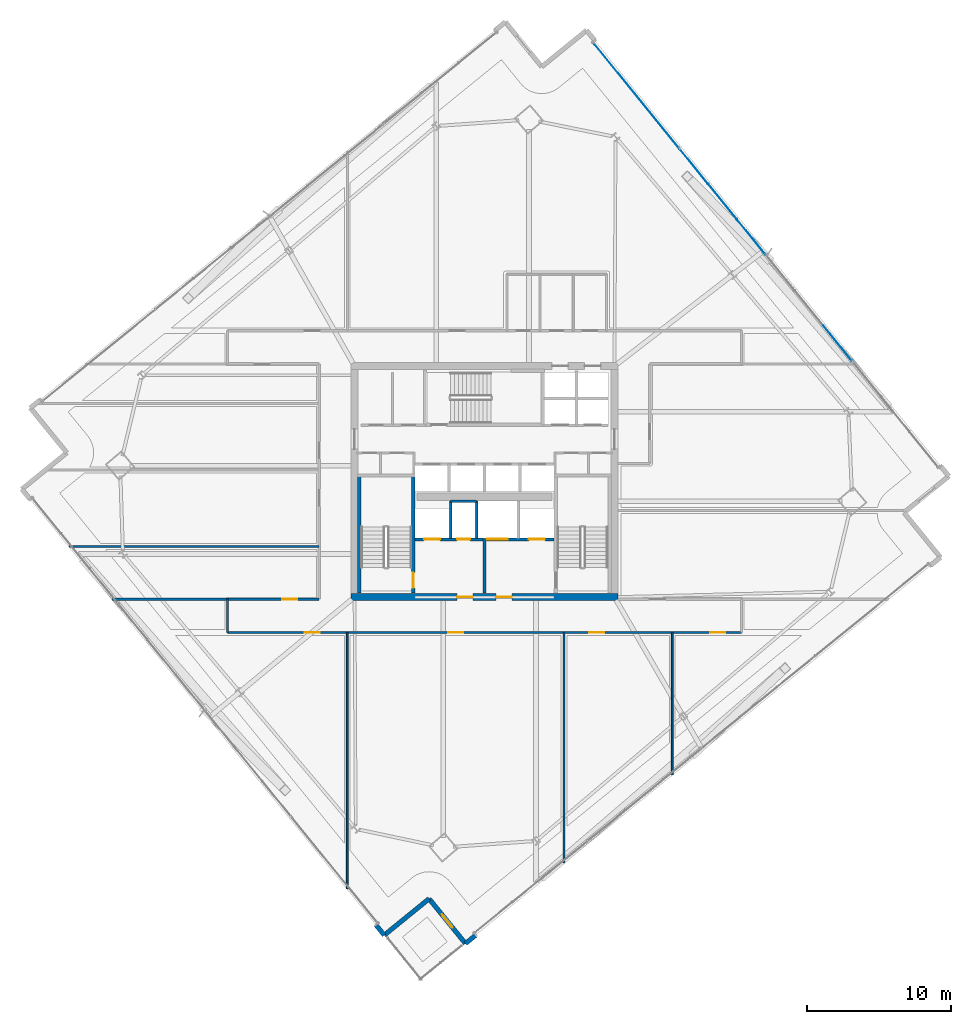
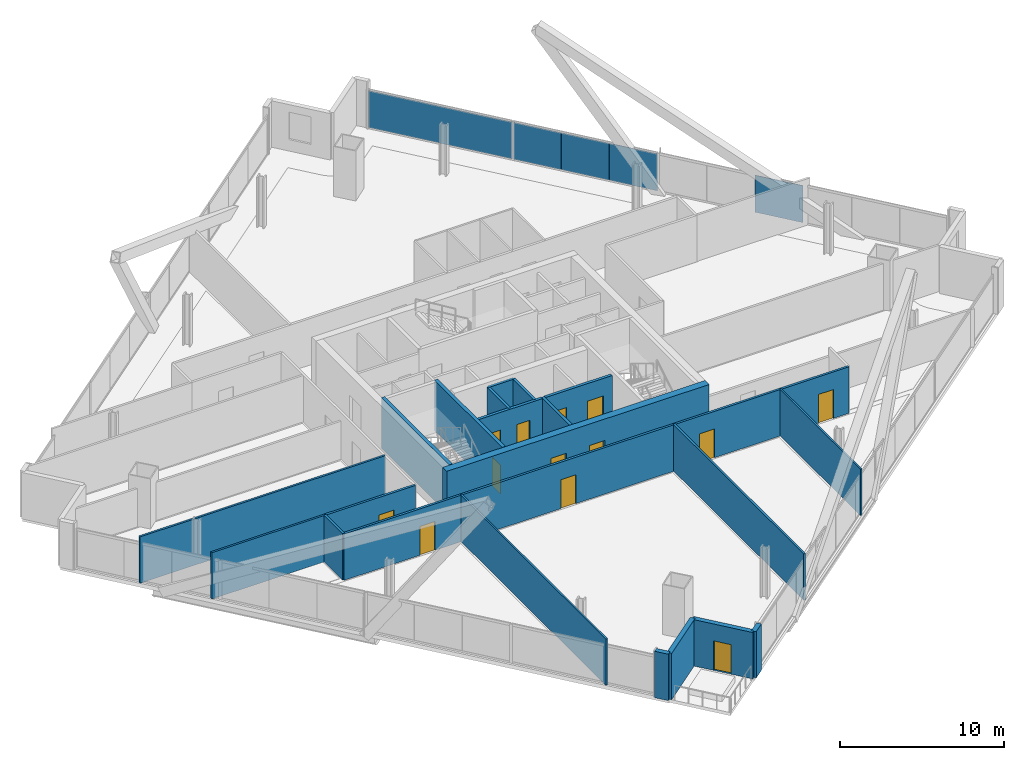
# One storey, part 28 of 36: 21 walls, 13 doors, 5 plates, 13 openings, 1 element without a shape of its own.
"""IFC4 building model written with IfcOpenShell, lengths in metres."""

import ifcopenshell
import ifcopenshell.guid

model = None  # the IFC model being written
_history = None  # IfcOwnerHistory: only IFC2X3 demands one
_inside = {}  # id of a spatial element -> (the spatial element, [elements in it])
_under = {}  # id of a project, library or spatial element -> (it, [spatial elements below it])
_declared = {}  # id of a project -> (the project, [libraries it declares])
_typed = {}  # id of a type object -> (the type object, [elements of that type])
_made_of = {}  # id of a material, layer set ... -> (it, [elements and type objects made of it])


def new_model(schema):
    """Start an empty IFC model of exactly this schema.

    Asked for "IFC4X3", IfcOpenShell would pick the latest addendum, in which some entities
    have other attributes; the version numbers below select the first issue.
    IFC2X3 requires an IfcOwnerHistory on every rooted entity: one is made here for all.
    """
    global model, _history
    if schema == "IFC4X3":
        model = ifcopenshell.file(schema_version=(4, 3, 0, 0))
    else:
        model = ifcopenshell.file(schema=schema)
    _inside.clear()
    _under.clear()
    _declared.clear()
    _typed.clear()
    _made_of.clear()
    _history = None
    if model.schema == "IFC2X3":
        org = make("IfcOrganization", Name="unknown")
        user = make(
            "IfcPersonAndOrganization",
            ThePerson=make("IfcPerson", FamilyName="unknown"),
            TheOrganization=org,
        )
        app = make(
            "IfcApplication",
            ApplicationDeveloper=org,
            Version="unknown",
            ApplicationFullName="unknown",
            ApplicationIdentifier="unknown",
        )
        _history = make(
            "IfcOwnerHistory",
            OwningUser=user,
            OwningApplication=app,
            ChangeAction="ADDED",
            CreationDate=0,
        )
    return model


def make(cls, **values):
    """One entity of the class cls with the attributes given. An attribute that is None is left unset."""
    return model.create_entity(
        cls, **{name: value for name, value in values.items() if value is not None}
    )


def rooted(cls, **values):
    """An entity with a GlobalId (a new one), such as an element, a storey or a relation."""
    return make(cls, GlobalId=ifcopenshell.guid.new(), OwnerHistory=_history, **values)


def si_unit(unit_type, name, prefix=None):
    """IfcSIUnit, for example si_unit("LENGTHUNIT", "METRE", prefix="MILLI")."""
    return make("IfcSIUnit", UnitType=unit_type, Prefix=prefix, Name=name)


def assignment(units):
    """IfcUnitAssignment: the units of a project."""
    return None if units is None else make("IfcUnitAssignment", Units=units)


def point(xyz):
    """IfcCartesianPoint."""
    return None if xyz is None else make("IfcCartesianPoint", Coordinates=xyz)


def direction(xyz):
    """IfcDirection."""
    return None if xyz is None else make("IfcDirection", DirectionRatios=xyz)


def frame(location, z_axis=None, x_axis=None):
    """IfcAxis2Placement3D, a coordinate frame: its origin and axes. An axis left out is left unset."""
    return make(
        "IfcAxis2Placement3D",
        Location=point(location),
        Axis=direction(z_axis),
        RefDirection=direction(x_axis),
    )


def frame_2d(location, x_axis=None):
    """IfcAxis2Placement2D, a coordinate frame in the plane: its origin and x axis."""
    return make(
        "IfcAxis2Placement2D", Location=point(location), RefDirection=direction(x_axis)
    )


def origin():
    """The frame at (0, 0, 0) with its axes left unset."""
    return frame((0.0, 0.0, 0.0))


def origin_2d():
    """The frame at (0, 0) in the plane with its x axis left unset."""
    return frame_2d((0.0, 0.0))


def place(relative_to, where):
    """IfcLocalPlacement: puts the frame where relative to a parent placement (None: the world)."""
    return make(
        "IfcLocalPlacement", PlacementRelTo=relative_to, RelativePlacement=where
    )


def context(
    kind, dimensions, precision=None, world=None, true_north=None, identifier=None
):
    """IfcGeometricRepresentationContext, for example the 3D "Model" context."""
    return make(
        "IfcGeometricRepresentationContext",
        ContextIdentifier=identifier,
        ContextType=kind,
        CoordinateSpaceDimension=dimensions,
        Precision=precision,
        WorldCoordinateSystem=world,
        TrueNorth=true_north,
    )


def subcontext(parent, identifier, kind, view, scale=None):
    """IfcGeometricRepresentationSubContext, for example "Body" below "Model"."""
    return make(
        "IfcGeometricRepresentationSubContext",
        ContextIdentifier=identifier,
        ContextType=kind,
        ParentContext=parent,
        TargetScale=scale,
        TargetView=view,
    )


def project(units=None, contexts=None):
    """IfcProject with its units and contexts."""
    return rooted(
        "IfcProject",
        Name="project",
        RepresentationContexts=contexts,
        UnitsInContext=assignment(units),
    )


def spatial(cls, under=None, at=None, **own):
    """A site, building, storey or space (cls), placed at a placement, below another one or the project."""
    s = rooted(cls, ObjectPlacement=at, **own)
    if under is not None:
        _under.setdefault(under.id(), (under, []))[1].append(s)
    return s


def profile(cls, at=None, kind="AREA", **sizes):
    """A parametric profile (cls). Its sizes go by their IFC names, for example OverallWidth=200.0."""
    return make(cls, ProfileType=kind, Position=at, **sizes)


def rectangle(**sizes):
    """IfcRectangleProfileDef."""
    return profile("IfcRectangleProfileDef", **sizes)


def extrude(swept, where, along, depth):
    """IfcExtrudedAreaSolid: the profile swept, set in the frame where, extruded along a direction by depth."""
    return make(
        "IfcExtrudedAreaSolid",
        SweptArea=swept,
        Position=where,
        ExtrudedDirection=direction(along),
        Depth=depth,
    )


def shape(context_of_items, identifier, shape_type, items):
    """IfcShapeRepresentation: the items that make up one representation, for example the "Body"."""
    return make(
        "IfcShapeRepresentation",
        ContextOfItems=context_of_items,
        RepresentationIdentifier=identifier,
        RepresentationType=shape_type,
        Items=items,
    )


def source(mapping_origin, context_of_items, identifier, shape_type, items):
    """IfcRepresentationMap: a shape defined once, which mapped items show again and again."""
    return make(
        "IfcRepresentationMap",
        MappingOrigin=mapping_origin,
        MappedRepresentation=shape(context_of_items, identifier, shape_type, items),
    )


def transform(
    local_origin,
    x_axis=None,
    y_axis=None,
    z_axis=None,
    scale=None,
    scale2=None,
    scale3=None,
    uniform=True,
):
    """IfcCartesianTransformationOperator3D, or its non-uniform kind. x_axis, y_axis, z_axis: its Axis1, 2, 3."""
    if uniform:
        return make(
            "IfcCartesianTransformationOperator3D",
            Axis1=direction(x_axis),
            Axis2=direction(y_axis),
            LocalOrigin=point(local_origin),
            Scale=scale,
            Axis3=direction(z_axis),
        )
    return make(
        "IfcCartesianTransformationOperator3DnonUniform",
        Axis1=direction(x_axis),
        Axis2=direction(y_axis),
        LocalOrigin=point(local_origin),
        Scale=scale,
        Axis3=direction(z_axis),
        Scale2=scale2,
        Scale3=scale3,
    )


def mapped(mapping_source, mapping_target):
    """IfcMappedItem: shows the shape of a source again, moved by a transform."""
    return make(
        "IfcMappedItem", MappingSource=mapping_source, MappingTarget=mapping_target
    )


def material(Name=None, Category=None):
    """IfcMaterial."""
    return make("IfcMaterial", Name=Name, Category=Category)


def layer(
    of_material, thickness, ventilated=None, Name=None, Category=None, Priority=None
):
    """IfcMaterialLayer: one layer of a wall or slab, of a material (None: an air gap)."""
    return make(
        "IfcMaterialLayer",
        Material=of_material,
        LayerThickness=thickness,
        IsVentilated=ventilated,
        Name=Name,
        Category=Category,
        Priority=Priority,
    )


def layer_set(layers, Name=None):
    """IfcMaterialLayerSet."""
    return make("IfcMaterialLayerSet", MaterialLayers=layers, LayerSetName=Name)


def made_of(thing, what):
    """Note that an element or type object is made of a material, layer set ...; save() writes the relation."""
    if what is not None:
        _made_of.setdefault(what.id(), (what, []))[1].append(thing)
    return thing


def type_object(cls, material=None, **own):
    """A type object (cls), such as IfcWallType, which elements share."""
    return made_of(rooted(cls, **own), material)


def element(
    cls,
    number,
    at=None,
    inside=None,
    cuts=None,
    type_object=None,
    material=None,
    context=None,
    identifier="Body",
    shape_type=None,
    held_by="IfcProductDefinitionShape",
    body=None,
    shapes=None,
    **own,
):
    """One element of the class cls, such as IfcWall. Its Tag is "e" and its number.

    at: its placement. inside: the storey or other place that contains it. cuts: it is an
    opening in that element (IfcRelVoidsElement). A single representation is given by context,
    identifier, shape_type and body (its items); several are given by shapes. held_by: the class
    of the entity that holds the representations. save() writes the other relations.
    """
    e = rooted(cls, Tag="e%d" % number, ObjectPlacement=at, **own)
    if body is not None:
        shapes = [shape(context, identifier, shape_type, body)]
    if shapes is not None:
        e.Representation = make(held_by, Representations=shapes)
    if inside is not None:
        _inside.setdefault(inside.id(), (inside, []))[1].append(e)
    if cuts is not None:
        rooted(
            "IfcRelVoidsElement", RelatingBuildingElement=cuts, RelatedOpeningElement=e
        )
    if type_object is not None:
        _typed.setdefault(type_object.id(), (type_object, []))[1].append(e)
    return made_of(e, material)


def fill(opening, filler):
    """IfcRelFillsElement: the door or window that sits in an opening."""
    return rooted(
        "IfcRelFillsElement",
        RelatingOpeningElement=opening,
        RelatedBuildingElement=filler,
    )


def aggregate(whole, parts):
    """IfcRelAggregates: a whole, such as a stair, and the parts it consists of."""
    return rooted("IfcRelAggregates", RelatingObject=whole, RelatedObjects=parts)


def save(model, path):
    """Write the relations noted so far, then the file.

    IfcRelAggregates (storeys below a building ...), IfcRelContainedInSpatialStructure (elements
    in a storey), IfcRelDefinesByType, IfcRelAssociatesMaterial and IfcRelDeclares: one each for
    every whole, place, type object, material and project.
    """
    for whole, parts in _under.values():
        aggregate(whole, parts)
    for where, things in _inside.values():
        rooted(
            "IfcRelContainedInSpatialStructure",
            RelatedElements=things,
            RelatingStructure=where,
        )
    for kind, things in _typed.values():
        rooted("IfcRelDefinesByType", RelatedObjects=things, RelatingType=kind)
    for what, things in _made_of.values():
        rooted("IfcRelAssociatesMaterial", RelatedObjects=things, RelatingMaterial=what)
    for by, libraries in _declared.values():
        rooted("IfcRelDeclares", RelatingContext=by, RelatedDefinitions=libraries)
    model.write(path)


model = new_model("IFC4")

# Units and contexts
model_context = context("Model", 3, precision=1e-05, world=origin(), true_north=direction((0.0, 1.0)))
body_context = subcontext(model_context, "Body", "Model", "MODEL_VIEW")
ifc_project = project(units=[si_unit("LENGTHUNIT", "METRE"), si_unit("AREAUNIT", "SQUARE_METRE"), si_unit("VOLUMEUNIT", "CUBIC_METRE"), si_unit("PLANEANGLEUNIT", "RADIAN"), si_unit("MASSUNIT", "GRAM", prefix="KILO")], contexts=[model_context])

# Site, building, storey
site_placement = place(None, origin())
site = spatial("IfcSite", under=ifc_project, at=site_placement, CompositionType="ELEMENT")
building_placement = place(site_placement, origin())
building = spatial("IfcBuilding", under=site, at=building_placement, Name="Haldenkirk Collegiate Tower", CompositionType="ELEMENT")
storey_placement = place(building_placement, frame((0.0, 0.0, 159.449951171875)))
storey = spatial("IfcBuildingStorey", under=building, at=storey_placement, Name="L39", CompositionType="ELEMENT", Elevation=159.449951171875)

# Curtain wall, plates
ifc_material_1 = material(Name="Anodised architectural bronze aluminium", Category="aluminium")
curtain_wall_type = type_object("IfcCurtainWallType", Name="CW-SYS1-CONVEX-LOW", PredefinedType="USERDEFINED", material=ifc_material_1)
curtain_wall_placement = place(storey_placement, origin())
curtain_wall = element("IfcCurtainWall", 1, at=curtain_wall_placement, inside=storey, type_object=curtain_wall_type, Name="L39 Lower tower convex bronze-framed unitised curtain wall", ObjectType="UNITISED CURTAIN WALL", PredefinedType="USERDEFINED")
ifc_material_2 = material(Name="Low-E argon triple insulating glass", Category="glass")
ifc_layer_1 = layer(ifc_material_2, 0.0439453125)
ifc_layer_set_1 = layer_set([ifc_layer_1], Name="Low-E argon triple insulating glass")
plate_type_1 = type_object("IfcPlateType", Name="CW-PNL-1A", PredefinedType="CURTAIN_PANEL", material=ifc_layer_set_1)
shared_shape_1 = source(origin(), body_context, "Body", "SweptSolid", [
    extrude(rectangle(XDim=3.12744140625, YDim=0.0439453125, at=origin_2d()), origin(), (0.0, 0.0, 1.0), 2.7509765625),
])
plate_1_placement = place(storey_placement, frame((50.499755859375, 47.829833984375, 0.080078125), z_axis=(0.0, 0.0, 1.0), x_axis=(0.630675643068, -0.776046540641, 0.0)))
plate_1 = element("IfcPlate", 2, at=plate_1_placement, type_object=plate_type_1, Name="CW-1A panel 2.1a", PredefinedType="CURTAIN_PANEL", context=body_context, shape_type="MappedRepresentation", body=[
    mapped(shared_shape_1, transform((0.0, 0.0, 0.0), x_axis=(1.0, 0.0, 0.0), y_axis=(0.0, 1.0, 0.0), z_axis=(0.0, 0.0, 1.0), scale=1.0)),
])
ifc_material_3 = material(Name="Bronze-anodised insulated aluminium spandrel panel", Category="aluminium")
ifc_layer_2 = layer(ifc_material_3, 0.0439453125)
ifc_layer_set_2 = layer_set([ifc_layer_2], Name="Bronze-anodised insulated aluminium spandrel panel")
plate_type_2 = type_object("IfcPlateType", Name="CW-SPD-1A", PredefinedType="CURTAIN_PANEL", material=ifc_layer_set_2)
plate_2_placement = place(storey_placement, frame((54.46826171875, 42.946533203125, 0.080078125), z_axis=(0.0, 0.0, 1.0), x_axis=(0.630675643068, -0.776046540641, 0.0)))
plate_2 = element("IfcPlate", 3, at=plate_2_placement, type_object=plate_type_2, Name="CW-1A spandrel panel 2.1c", PredefinedType="CURTAIN_PANEL", context=body_context, shape_type="MappedRepresentation", body=[
    mapped(shared_shape_1, transform((0.0, 0.0, 0.0), x_axis=(1.0, 0.0, 0.0), y_axis=(0.0, 1.0, 0.0), z_axis=(0.0, 0.0, 1.0), scale=1.0)),
])
plate_3_placement = place(storey_placement, frame((60.459716796875, 35.573974609375, 0.080078125), z_axis=(0.0, 0.0, 1.0), x_axis=(0.630675643068, -0.776046540641, 0.0)))
plate_3 = element("IfcPlate", 4, at=plate_3_placement, type_object=plate_type_2, Name="CW-1A spandrel panel 3.1c", PredefinedType="CURTAIN_PANEL", context=body_context, shape_type="MappedRepresentation", body=[
    mapped(shared_shape_1, transform((0.0, 0.0, 0.0), x_axis=(1.0, 0.0, 0.0), y_axis=(0.0, 1.0, 0.0), z_axis=(0.0, 0.0, 1.0), scale=1.0)),
])
shared_shape_2 = source(origin(), body_context, "Body", "SweptSolid", [
    extrude(rectangle(XDim=3.114990234375, YDim=0.0439453125, at=origin_2d()), origin(), (0.0, 0.0, 1.0), 2.7509765625),
])
plate_4_placement = place(storey_placement, frame((52.48388671875, 45.38818359375, 0.080078125), z_axis=(0.0, 0.0, 1.0), x_axis=(0.630675643068, -0.776046540641, 0.0)))
plate_4 = element("IfcPlate", 5, at=plate_4_placement, type_object=plate_type_1, Name="CW-1A panel 2.1b", PredefinedType="CURTAIN_PANEL", context=body_context, shape_type="MappedRepresentation", body=[
    mapped(shared_shape_2, transform((0.0, 0.0, 0.0), x_axis=(1.0, 0.0, 0.0), y_axis=(0.0, 1.0, 0.0), z_axis=(0.0, 0.0, 1.0), scale=1.0)),
])
shared_shape_3 = source(origin(), body_context, "Body", "SweptSolid", [
    extrude(rectangle(XDim=9.380126953125, YDim=0.0439453125, at=origin_2d()), origin(), (0.0, 0.0, 1.0), 2.7509765625),
])
plate_5_placement = place(storey_placement, frame((46.505126953125, 52.7451171875, 0.080078125), z_axis=(0.0, 0.0, 1.0), x_axis=(0.630675643068, -0.776046540641, 0.0)))
plate_5 = element("IfcPlate", 6, at=plate_5_placement, type_object=plate_type_1, Name="CW-1A panel 1.1", PredefinedType="CURTAIN_PANEL", context=body_context, shape_type="MappedRepresentation", body=[
    mapped(shared_shape_3, transform((0.0, 0.0, 0.0), x_axis=(1.0, 0.0, 0.0), y_axis=(0.0, 1.0, 0.0), z_axis=(0.0, 0.0, 1.0), scale=1.0)),
])
aggregate(curtain_wall, [plate_5, plate_1, plate_4, plate_2, plate_3])

# Wall, openings, doors
ifc_material_4 = material(Name="Concrete f'c 55 MPa", Category="concrete")
ifc_layer_3 = layer(ifc_material_4, 0.5)
ifc_layer_set_3 = layer_set([ifc_layer_3], Name="Concrete f'c 55 MPa")
wall_type_1 = type_object("IfcWallType", Name="WL-CORE-500", PredefinedType="SHEAR", material=ifc_layer_set_3)
wall_1_placement = place(storey_placement, frame((26.75, 18.0, 0.0), z_axis=(0.0, 0.0, 1.0), x_axis=(1.0, 0.0, 0.0)))
wall_1 = element("IfcWall", 7, at=wall_1_placement, inside=storey, type_object=wall_type_1, Name="L39 central core shear wall S", PredefinedType="SHEAR", context=body_context, shape_type="SweptSolid", body=[
    extrude(rectangle(XDim=18.5, YDim=0.5, at=frame_2d((9.25, 0.0))), origin(), (0.0, 0.0, 1.0), 3.75),
])
opening_1_placement = place(wall_1_placement, frame((7.35009765625, 0.0, 0.0)))
opening_1 = element("IfcOpeningElement", 8, at=opening_1_placement, cuts=wall_1, Name="Opening D-02", PredefinedType="OPENING", context=body_context, shape_type="SweptSolid", body=[
    extrude(rectangle(XDim=1.10009765625, YDim=2.14990234375, at=frame_2d((0.550048828125, 1.074951171875))), frame((0.0, 0.260009765625, 0.0), z_axis=(0.0, -1.0, 0.0), x_axis=(1.0, 0.0, 0.0)), (0.0, 0.0, 1.0), 0.52001953125),
])
opening_2_placement = place(wall_1_placement, frame((10.050048828125, 0.0, 0.0)))
opening_2 = element("IfcOpeningElement", 9, at=opening_2_placement, cuts=wall_1, Name="Opening D-02", PredefinedType="OPENING", context=body_context, shape_type="SweptSolid", body=[
    extrude(rectangle(XDim=1.10009765625, YDim=2.14990234375, at=frame_2d((0.550048828125, 1.074951171875))), frame((0.0, 0.260009765625, 0.0), z_axis=(0.0, -1.0, 0.0), x_axis=(1.0, 0.0, 0.0)), (0.0, 0.0, 1.0), 0.52001953125),
])
ifc_material_5 = material(Name="Galvanized fire-rated hollow steel door", Category="steel")
ifc_layer_4 = layer(ifc_material_5, 0.06005859375)
ifc_layer_set_4 = layer_set([ifc_layer_4], Name="Galvanized fire-rated hollow steel door")
door_type_1 = type_object("IfcDoorType", Name="DR-STAIR-FD90-1100", OperationType="NOTDEFINED", PredefinedType="DOOR", material=ifc_layer_set_4)
door_1_placement = place(opening_1_placement, origin())
door_1 = element("IfcDoor", 10, at=door_1_placement, inside=storey, type_object=door_type_1, Name="L39 Firefighting Lobby 1 door", OperationType="SINGLE_SWING_RIGHT", OverallHeight=2.14990234375, OverallWidth=1.10009765625, PredefinedType="DOOR", context=body_context, shape_type="SweptSolid", body=[
    extrude(rectangle(XDim=1.10009765625, YDim=2.14990234375, at=frame_2d((0.550048828125, 1.074951171875))), frame((0.0, 0.02490234375, 0.0), z_axis=(0.0, -1.0, 0.0), x_axis=(1.0, 0.0, 0.0)), (0.0, 0.0, 1.0), 0.050048828125),
])
fill(opening_1, door_1)
door_2_placement = place(opening_2_placement, origin())
door_2 = element("IfcDoor", 11, at=door_2_placement, inside=storey, type_object=door_type_1, Name="L39 Firefighting Lobby 2 door", OperationType="SINGLE_SWING_LEFT", OverallHeight=2.14990234375, OverallWidth=1.10009765625, PredefinedType="DOOR", context=body_context, shape_type="SweptSolid", body=[
    extrude(rectangle(XDim=1.10009765625, YDim=2.14990234375, at=frame_2d((0.550048828125, 1.074951171875))), frame((0.0, 0.02490234375, 0.0), z_axis=(0.0, -1.0, 0.0), x_axis=(1.0, 0.0, 0.0)), (0.0, 0.0, 1.0), 0.050048828125),
])
fill(opening_2, door_2)

# Walls
ifc_material_6 = material(Name="Precast concrete f'c 40 MPa", Category="concrete")
ifc_layer_5 = layer(ifc_material_6, 0.320068359375)
ifc_layer_set_5 = layer_set([ifc_layer_5], Name="Precast concrete f'c 40 MPa")
wall_type_2 = type_object("IfcWallType", Name="WL-EXT-TWR-320", PredefinedType="STANDARD", material=ifc_layer_set_5)
wall_2_placement = place(storey_placement, frame((35.38232421875, -5.427734375, 0.0), z_axis=(0.0, 0.0, 1.0), x_axis=(-0.775947995051, -0.630796884089, 0.0)))
element("IfcWall", 12, at=wall_2_placement, inside=storey, type_object=wall_type_2, Name="L39 precast corner pier SR", PredefinedType="STANDARD", context=body_context, shape_type="SweptSolid", body=[
    extrude(rectangle(XDim=0.89990234375, YDim=0.320068359375, at=frame_2d((0.449951171875, 0.0))), origin(), (0.0, 0.0, 1.0), 3.4599609375),
])
wall_3_placement = place(storey_placement, frame((29.05712890625, -5.4140625, 0.0), z_axis=(0.0, 0.0, 1.0), x_axis=(-0.630664105663, 0.776055916689, 0.0)))
element("IfcWall", 13, at=wall_3_placement, inside=storey, type_object=wall_type_2, Name="L39 precast corner pier WL", PredefinedType="STANDARD", context=body_context, shape_type="SweptSolid", body=[
    extrude(rectangle(XDim=0.900146484375, YDim=0.320068359375, at=frame_2d((0.4501953125, 0.0))), origin(), (0.0, 0.0, 1.0), 3.4599609375),
])
wall_4_placement = place(storey_placement, frame((32.161376953125, -2.891357421875, 0.0), z_axis=(0.0, 0.0, 1.0), x_axis=(-0.776052387571, -0.63066844835, 0.0)))
element("IfcWall", 14, at=wall_4_placement, inside=storey, type_object=wall_type_2, Name="L39 bronze precast notch wall 11", PredefinedType="STANDARD", context=body_context, shape_type="SweptSolid", body=[
    extrude(rectangle(XDim=4.0, YDim=0.320068359375, at=frame_2d((2.0, 0.0))), origin(), (0.0, 0.0, 1.0), 3.4599609375),
])

# Wall, opening, door
wall_5_placement = place(storey_placement, frame((34.68408203125, -5.995361328125, 0.0), z_axis=(0.0, 0.0, 1.0), x_axis=(-0.630698321471, 0.77602810986, 0.0)))
wall_5 = element("IfcWall", 15, at=wall_5_placement, inside=storey, type_object=wall_type_2, Name="L39 bronze precast notch wall 12", PredefinedType="STANDARD", context=body_context, shape_type="SweptSolid", body=[
    extrude(rectangle(XDim=3.999755859375, YDim=0.320068359375, at=frame_2d((2.0, 0.0))), origin(), (0.0, 0.0, 1.0), 3.4599609375),
])
opening_3_placement = place(wall_5_placement, frame((1.425048828125, 0.0, 0.0)))
opening_3 = element("IfcOpeningElement", 16, at=opening_3_placement, cuts=wall_5, Name="Opening D-ST11", PredefinedType="OPENING", context=body_context, shape_type="SweptSolid", body=[
    extrude(rectangle(XDim=1.14990234375, YDim=2.199951171875, at=frame_2d((0.574951171875, 1.10009765625))), frame((0.0, 0.169921875, 0.0), z_axis=(0.0, -1.0, 0.0), x_axis=(1.0, 0.0, 0.0)), (0.0, 0.0, 1.0), 0.340087890625),
])
ifc_layer_6 = layer(ifc_material_1, 0.080078125)
ifc_layer_set_6 = layer_set([ifc_layer_6], Name="Anodised architectural bronze aluminium")
door_type_2 = type_object("IfcDoorType", Name="DR-EXT-STER-1150", OperationType="NOTDEFINED", PredefinedType="DOOR", material=ifc_layer_set_6)
door_3_placement = place(opening_3_placement, origin())
door_3 = element("IfcDoor", 17, at=door_3_placement, inside=storey, type_object=door_type_2, Name="L39 spiralling terrace door", OperationType="SINGLE_SWING_RIGHT", OverallHeight=2.199951171875, OverallWidth=1.14990234375, PredefinedType="DOOR", context=body_context, shape_type="SweptSolid", body=[
    extrude(rectangle(XDim=1.14990234375, YDim=2.199951171875, at=frame_2d((0.574951171875, 1.10009765625))), frame((0.0, 0.02490234375, 0.0), z_axis=(0.0, -1.0, 0.0), x_axis=(1.0, 0.0, 0.0)), (0.0, 0.0, 1.0), 0.050048828125),
])
fill(opening_3, door_3)

# Wall, openings, doors
ifc_material_7 = material(Name="Acoustic fire-rated gypsum partition", Category="concrete")
ifc_layer_7 = layer(ifc_material_7, 0.159912109375)
ifc_layer_set_7 = layer_set([ifc_layer_7], Name="Acoustic fire-rated gypsum partition")
wall_type_3 = type_object("IfcWallType", Name="WL-INT-CORR-160", PredefinedType="PARTITIONING", material=ifc_layer_set_7)
wall_6_placement = place(storey_placement, frame((18.199951171875, 15.550048828125, 0.0), z_axis=(0.0, 0.0, 1.0), x_axis=(1.0, 0.0, 0.0)))
wall_6 = element("IfcWall", 18, at=wall_6_placement, inside=storey, type_object=wall_type_3, Name="L39 interior partition IW-L39-CS", PredefinedType="PARTITIONING", context=body_context, shape_type="SweptSolid", body=[
    extrude(rectangle(XDim=35.60009765625, YDim=0.159912109375, at=frame_2d((17.800048828125, 0.0))), origin(), (0.0, 0.0, 1.0), 3.4599609375),
])
opening_4_placement = place(wall_6_placement, frame((5.344970703125, 0.0, 0.0)))
opening_4 = element("IfcOpeningElement", 19, at=opening_4_placement, cuts=wall_6, Name="Opening D-09", PredefinedType="OPENING", context=body_context, shape_type="SweptSolid", body=[
    extrude(rectangle(XDim=1.050048828125, YDim=2.14990234375, at=frame_2d((0.52490234375, 1.074951171875))), frame((0.0, 0.08984375, 0.0), z_axis=(0.0, -1.0, 0.0), x_axis=(1.0, 0.0, 0.0)), (0.0, 0.0, 1.0), 0.179931640625),
])
opening_5_placement = place(wall_6_placement, frame((15.27490234375, 0.0, 0.0)))
opening_5 = element("IfcOpeningElement", 20, at=opening_5_placement, cuts=wall_6, Name="Opening D-09", PredefinedType="OPENING", context=body_context, shape_type="SweptSolid", body=[
    extrude(rectangle(XDim=1.050048828125, YDim=2.14990234375, at=frame_2d((0.52490234375, 1.074951171875))), frame((0.0, 0.08984375, 0.0), z_axis=(0.0, -1.0, 0.0), x_axis=(1.0, 0.0, 0.0)), (0.0, 0.0, 1.0), 0.179931640625),
])
opening_6_placement = place(wall_6_placement, frame((25.054931640625, 0.0, 0.0)))
opening_6 = element("IfcOpeningElement", 21, at=opening_6_placement, cuts=wall_6, Name="Opening D-09", PredefinedType="OPENING", context=body_context, shape_type="SweptSolid", body=[
    extrude(rectangle(XDim=1.050048828125, YDim=2.14990234375, at=frame_2d((0.52490234375, 1.074951171875))), frame((0.0, 0.08984375, 0.0), z_axis=(0.0, -1.0, 0.0), x_axis=(1.0, 0.0, 0.0)), (0.0, 0.0, 1.0), 0.179931640625),
])
opening_7_placement = place(wall_6_placement, frame((33.43310546875, 0.0, 0.0)))
opening_7 = element("IfcOpeningElement", 22, at=opening_7_placement, cuts=wall_6, Name="Opening D-09", PredefinedType="OPENING", context=body_context, shape_type="SweptSolid", body=[
    extrude(rectangle(XDim=1.050048828125, YDim=2.14990234375, at=frame_2d((0.52490234375, 1.074951171875))), frame((0.0, 0.08984375, 0.0), z_axis=(0.0, -1.0, 0.0), x_axis=(1.0, 0.0, 0.0)), (0.0, 0.0, 1.0), 0.179931640625),
])
ifc_material_8 = material(Name="Solid-core architectural oak fire door", Category="wood")
ifc_layer_8 = layer(ifc_material_8, 0.06005859375)
ifc_layer_set_8 = layer_set([ifc_layer_8], Name="Solid-core architectural oak fire door")
door_type_3 = type_object("IfcDoorType", Name="DR-INT-FD60-1050", OperationType="NOTDEFINED", PredefinedType="DOOR", material=ifc_layer_set_8)
door_4_placement = place(opening_4_placement, origin())
door_4 = element("IfcDoor", 23, at=door_4_placement, inside=storey, type_object=door_type_3, Name="L39 Academic Press Bookshop 1 door", OperationType="SINGLE_SWING_RIGHT", OverallHeight=2.14990234375, OverallWidth=1.050048828125, PredefinedType="DOOR", context=body_context, shape_type="SweptSolid", body=[
    extrude(rectangle(XDim=1.050048828125, YDim=2.14990234375, at=frame_2d((0.52490234375, 1.074951171875))), frame((0.0, 0.02490234375, 0.0), z_axis=(0.0, -1.0, 0.0), x_axis=(1.0, 0.0, 0.0)), (0.0, 0.0, 1.0), 0.050048828125),
])
fill(opening_4, door_4)
door_5_placement = place(opening_5_placement, origin())
door_5 = element("IfcDoor", 24, at=door_5_placement, inside=storey, type_object=door_type_3, Name="L39 Campus Print Shop 2 door", OperationType="SINGLE_SWING_LEFT", OverallHeight=2.14990234375, OverallWidth=1.050048828125, PredefinedType="DOOR", context=body_context, shape_type="SweptSolid", body=[
    extrude(rectangle(XDim=1.050048828125, YDim=2.14990234375, at=frame_2d((0.52490234375, 1.074951171875))), frame((0.0, 0.02490234375, 0.0), z_axis=(0.0, -1.0, 0.0), x_axis=(1.0, 0.0, 0.0)), (0.0, 0.0, 1.0), 0.050048828125),
])
fill(opening_5, door_5)
door_6_placement = place(opening_6_placement, origin())
door_6 = element("IfcDoor", 25, at=door_6_placement, inside=storey, type_object=door_type_3, Name="L39 Model Supply Shop 3 door", OperationType="SINGLE_SWING_RIGHT", OverallHeight=2.14990234375, OverallWidth=1.050048828125, PredefinedType="DOOR", context=body_context, shape_type="SweptSolid", body=[
    extrude(rectangle(XDim=1.050048828125, YDim=2.14990234375, at=frame_2d((0.52490234375, 1.074951171875))), frame((0.0, 0.02490234375, 0.0), z_axis=(0.0, -1.0, 0.0), x_axis=(1.0, 0.0, 0.0)), (0.0, 0.0, 1.0), 0.050048828125),
])
fill(opening_6, door_6)
door_7_placement = place(opening_7_placement, origin())
door_7 = element("IfcDoor", 26, at=door_7_placement, inside=storey, type_object=door_type_3, Name="L39 Departmental Archive 4 door", OperationType="SINGLE_SWING_LEFT", OverallHeight=2.14990234375, OverallWidth=1.050048828125, PredefinedType="DOOR", context=body_context, shape_type="SweptSolid", body=[
    extrude(rectangle(XDim=1.050048828125, YDim=2.14990234375, at=frame_2d((0.52490234375, 1.074951171875))), frame((0.0, 0.02490234375, 0.0), z_axis=(0.0, -1.0, 0.0), x_axis=(1.0, 0.0, 0.0)), (0.0, 0.0, 1.0), 0.050048828125),
])
fill(opening_7, door_7)

# Wall, opening, door
wall_7_placement = place(storey_placement, frame((18.199951171875, 17.85009765625, 0.0), z_axis=(0.0, 0.0, 1.0), x_axis=(1.0, 0.0, 0.0)))
wall_7 = element("IfcWall", 27, at=wall_7_placement, inside=storey, type_object=wall_type_3, Name="L39 interior partition IW-L39-CSW", PredefinedType="PARTITIONING", context=body_context, shape_type="SweptSolid", body=[
    extrude(rectangle(XDim=6.35009765625, YDim=0.159912109375, at=frame_2d((3.175048828125, 0.0))), origin(), (0.0, 0.0, 1.0), 3.4599609375),
])
opening_8_placement = place(wall_7_placement, frame((3.79296875, 0.0, 0.0)))
opening_8 = element("IfcOpeningElement", 28, at=opening_8_placement, cuts=wall_7, Name="Opening D-09", PredefinedType="OPENING", context=body_context, shape_type="SweptSolid", body=[
    extrude(rectangle(XDim=1.050048828125, YDim=2.14990234375, at=frame_2d((0.52490234375, 1.074951171875))), frame((0.0, 0.08984375, 0.0), z_axis=(0.0, -1.0, 0.0), x_axis=(1.0, 0.0, 0.0)), (0.0, 0.0, 1.0), 0.179931640625),
])
door_8_placement = place(opening_8_placement, origin())
door_8 = element("IfcDoor", 29, at=door_8_placement, inside=storey, type_object=door_type_3, Name="L39 Academic Press Bookshop 7 door", OperationType="SINGLE_SWING_RIGHT", OverallHeight=2.14990234375, OverallWidth=1.050048828125, PredefinedType="DOOR", context=body_context, shape_type="SweptSolid", body=[
    extrude(rectangle(XDim=1.050048828125, YDim=2.14990234375, at=frame_2d((0.52490234375, 1.074951171875))), frame((0.0, 0.02490234375, 0.0), z_axis=(0.0, -1.0, 0.0), x_axis=(1.0, 0.0, 0.0)), (0.0, 0.0, 1.0), 0.050048828125),
])
fill(opening_8, door_8)

# Walls
wall_8_placement = place(storey_placement, frame((18.199951171875, 15.550048828125, 0.0), z_axis=(0.0, 0.0, 1.0), x_axis=(0.0, 1.0, 0.0)))
element("IfcWall", 30, at=wall_8_placement, inside=storey, type_object=wall_type_3, Name="L39 interior partition IW-L39-CSL", PredefinedType="PARTITIONING", context=body_context, shape_type="SweptSolid", body=[
    extrude(rectangle(XDim=2.300048828125, YDim=0.159912109375, at=frame_2d((1.14990234375, 0.0))), origin(), (0.0, 0.0, 1.0), 3.4599609375),
])
ifc_layer_9 = layer(ifc_material_7, 0.139892578125)
ifc_layer_set_9 = layer_set([ifc_layer_9], Name="Acoustic fire-rated gypsum partition")
wall_type_4 = type_object("IfcWallType", Name="WL-INT-DIV-140", PredefinedType="PARTITIONING", material=ifc_layer_set_9)
wall_9_placement = place(storey_placement, frame((10.202392578125, 17.85009765625, 0.0), z_axis=(0.0, 0.0, 1.0), x_axis=(1.0, 0.0, 0.0)))
element("IfcWall", 31, at=wall_9_placement, inside=storey, type_object=wall_type_4, Name="L39 interior partition IW-L39-BWS", PredefinedType="PARTITIONING", context=body_context, shape_type="SweptSolid", body=[
    extrude(rectangle(XDim=7.99755859375, YDim=0.139892578125, at=frame_2d((3.998779296875, 0.0))), origin(), (0.0, 0.0, 1.0), 3.4599609375),
])
wall_10_placement = place(storey_placement, frame((41.5, -0.40478515625, 0.0), z_axis=(0.0, 0.0, 1.0), x_axis=(0.0, 1.0, 0.0)))
element("IfcWall", 32, at=wall_10_placement, inside=storey, type_object=wall_type_4, Name="L39 interior partition IW-L39-RS2", PredefinedType="PARTITIONING", context=body_context, shape_type="SweptSolid", body=[
    extrude(rectangle(XDim=15.954833984375, YDim=0.139892578125, at=frame_2d((7.9775390625, 0.0))), origin(), (0.0, 0.0, 1.0), 3.4599609375),
])
wall_11_placement = place(storey_placement, frame((7.236328125, 21.5, 0.0), z_axis=(0.0, 0.0, 1.0), x_axis=(1.0, 0.0, 0.0)))
element("IfcWall", 33, at=wall_11_placement, inside=storey, type_object=wall_type_4, Name="L39 interior partition IW-L39-RW1", PredefinedType="PARTITIONING", context=body_context, shape_type="SweptSolid", body=[
    extrude(rectangle(XDim=17.313720703125, YDim=0.139892578125, at=frame_2d((8.65673828125, 0.0))), origin(), (0.0, 0.0, 1.0), 3.4599609375),
])
ifc_material_9 = material(Name="Fire-rated gypsum shaftboard assembly", Category="concrete")
ifc_layer_10 = layer(ifc_material_9, 0.179931640625)
ifc_layer_set_10 = layer_set([ifc_layer_10], Name="Fire-rated gypsum shaftboard assembly")
wall_type_5 = type_object("IfcWallType", Name="WL-INT-SHAFT-180", PredefinedType="PARTITIONING", material=ifc_layer_set_10)
for number, where, z_axis, x_axis, name in (
    (34, (33.64990234375, 22.050048828125, 0.0), (0.0, 0.0, 1.0), (0.0, 1.0, 0.0), "L39 interior partition IW-L39-FL1E"),
    (35, (35.449951171875, 22.050048828125, 0.0), (0.0, 0.0, 1.0), (0.0, 1.0, 0.0), "L39 interior partition IW-L39-GL1W"),
):
    element("IfcWall", number, at=place(storey_placement, frame(where, z_axis=z_axis, x_axis=x_axis)), inside=storey, type_object=wall_type_5, Name=name, PredefinedType="PARTITIONING", context=body_context, shape_type="SweptSolid", body=[
        extrude(rectangle(XDim=2.599853515625, YDim=0.179931640625, at=frame_2d((1.2998046875, 0.0))), origin(), (0.0, 0.0, 1.0), 3.4599609375),
    ])
wall_12_placement = place(storey_placement, frame((33.64990234375, 24.64990234375, 0.0), z_axis=(0.0, 0.0, 1.0), x_axis=(1.0, 0.0, 0.0)))
element("IfcWall", 36, at=wall_12_placement, inside=storey, type_object=wall_type_5, Name="L39 interior partition IW-L39-RSRN", PredefinedType="PARTITIONING", context=body_context, shape_type="SweptSolid", body=[
    extrude(rectangle(XDim=1.800048828125, YDim=0.179931640625, at=frame_2d((0.89990234375, 0.0))), origin(), (0.0, 0.0, 1.0), 3.4599609375),
])
ifc_layer_11 = layer(ifc_material_9, 0.199951171875)
ifc_layer_set_11 = layer_set([ifc_layer_11], Name="Fire-rated gypsum shaftboard assembly")
wall_type_6 = type_object("IfcWallType", Name="WL-INT-SHAFT-200", PredefinedType="PARTITIONING", material=ifc_layer_set_11)
wall_13_placement = place(storey_placement, frame((36.0, 18.280029296875, 0.0), z_axis=(0.0, 0.0, 1.0), x_axis=(0.0, 1.0, 0.0)))
element("IfcWall", 37, at=wall_13_placement, inside=storey, type_object=wall_type_6, Name="L39 interior partition IW-L39-FFLM", PredefinedType="PARTITIONING", context=body_context, shape_type="SweptSolid", body=[
    extrude(rectangle(XDim=3.77001953125, YDim=0.199951171875, at=frame_2d((1.885009765625, 0.0))), origin(), (0.0, 0.0, 1.0), 3.4599609375),
])

# Wall, openings, doors
wall_14_placement = place(storey_placement, frame((31.18994140625, 22.0, 0.0), z_axis=(0.0, 0.0, 1.0), x_axis=(1.0, 0.0, 0.0)))
wall_14 = element("IfcWall", 38, at=wall_14_placement, inside=storey, type_object=wall_type_6, Name="L39 interior partition IW-L39-FFL1N", PredefinedType="PARTITIONING", context=body_context, shape_type="SweptSolid", body=[
    extrude(rectangle(XDim=4.68994140625, YDim=0.199951171875, at=frame_2d((2.344970703125, 0.0))), origin(), (0.0, 0.0, 1.0), 3.4599609375),
])
opening_9_placement = place(wall_14_placement, frame((2.909912109375, 0.0, 0.0)))
opening_9 = element("IfcOpeningElement", 39, at=opening_9_placement, cuts=wall_14, Name="Opening D-06", PredefinedType="OPENING", context=body_context, shape_type="SweptSolid", body=[
    extrude(rectangle(XDim=0.89990234375, YDim=2.14990234375, at=frame_2d((0.449951171875, 1.074951171875))), frame((0.0, 0.10986328125, 0.0), z_axis=(0.0, -1.0, 0.0), x_axis=(1.0, 0.0, 0.0)), (0.0, 0.0, 1.0), 0.219970703125),
])
opening_10_placement = place(wall_14_placement, frame((0.635009765625, 0.0, 0.0)))
opening_10 = element("IfcOpeningElement", 40, at=opening_10_placement, cuts=wall_14, Name="Opening LD-12", PredefinedType="OPENING", context=body_context, shape_type="SweptSolid", body=[
    extrude(rectangle(XDim=1.10009765625, YDim=2.14990234375, at=frame_2d((0.550048828125, 1.074951171875))), frame((0.0, 0.10986328125, 0.0), z_axis=(0.0, -1.0, 0.0), x_axis=(1.0, 0.0, 0.0)), (0.0, 0.0, 1.0), 0.219970703125),
])
ifc_layer_12 = layer(ifc_material_5, 0.06005859375)
ifc_layer_set_12 = layer_set([ifc_layer_12], Name="Galvanized fire-rated hollow steel door")
door_type_4 = type_object("IfcDoorType", Name="DR-INT-FD90-900", OperationType="NOTDEFINED", PredefinedType="DOOR", material=ifc_layer_set_12)
door_9_placement = place(opening_9_placement, origin())
door_9 = element("IfcDoor", 41, at=door_9_placement, inside=storey, type_object=door_type_4, Name="L39 electrical riser door", OperationType="SINGLE_SWING_RIGHT", OverallHeight=2.14990234375, OverallWidth=0.89990234375, PredefinedType="DOOR", context=body_context, shape_type="SweptSolid", body=[
    extrude(rectangle(XDim=0.89990234375, YDim=2.14990234375, at=frame_2d((0.449951171875, 1.074951171875))), frame((0.0, 0.02490234375, 0.0), z_axis=(0.0, -1.0, 0.0), x_axis=(1.0, 0.0, 0.0)), (0.0, 0.0, 1.0), 0.050048828125),
])
fill(opening_9, door_9)
ifc_material_10 = material(Name="Brushed architectural stainless steel", Category="steel")
ifc_layer_13 = layer(ifc_material_10, 0.06005859375)
ifc_layer_set_13 = layer_set([ifc_layer_13], Name="Brushed architectural stainless steel")
door_type_5 = type_object("IfcDoorType", Name="LD-FIRE-1100", OperationType="NOTDEFINED", PredefinedType="DOOR", material=ifc_layer_set_13)
door_10_placement = place(opening_10_placement, origin())
door_10 = element("IfcDoor", 42, at=door_10_placement, inside=storey, type_object=door_type_5, Name="L39 Elevator FL1 sliding landing door", OperationType="SLIDING_TO_LEFT", OverallHeight=2.14990234375, OverallWidth=1.10009765625, PredefinedType="DOOR", context=body_context, shape_type="SweptSolid", body=[
    extrude(rectangle(XDim=1.10009765625, YDim=2.14990234375, at=frame_2d((0.550048828125, 1.074951171875))), frame((0.0, 0.02490234375, 0.0), z_axis=(0.0, -1.0, 0.0), x_axis=(1.0, 0.0, 0.0)), (0.0, 0.0, 1.0), 0.050048828125),
])
fill(opening_10, door_10)

wall_15_placement = place(storey_placement, frame((36.1201171875, 22.0, 0.0), z_axis=(0.0, 0.0, 1.0), x_axis=(1.0, 0.0, 0.0)))
wall_15 = element("IfcWall", 43, at=wall_15_placement, inside=storey, type_object=wall_type_6, Name="L39 interior partition IW-L39-FFL2N", PredefinedType="PARTITIONING", context=body_context, shape_type="SweptSolid", body=[
    extrude(rectangle(XDim=4.68994140625, YDim=0.199951171875, at=frame_2d((2.344970703125, 0.0))), origin(), (0.0, 0.0, 1.0), 3.4599609375),
])
opening_11_placement = place(wall_15_placement, frame((2.955078125, 0.0, 0.0)))
opening_11 = element("IfcOpeningElement", 44, at=opening_11_placement, cuts=wall_15, Name="Opening LD-12", PredefinedType="OPENING", context=body_context, shape_type="SweptSolid", body=[
    extrude(rectangle(XDim=1.10009765625, YDim=2.14990234375, at=frame_2d((0.550048828125, 1.074951171875))), frame((0.0, 0.10986328125, 0.0), z_axis=(0.0, -1.0, 0.0), x_axis=(1.0, 0.0, 0.0)), (0.0, 0.0, 1.0), 0.219970703125),
])
opening_12_placement = place(wall_15_placement, frame((0.080078125, 0.0, 0.0)))
opening_12 = element("IfcOpeningElement", 45, at=opening_12_placement, cuts=wall_15, Name="Opening LD-13", PredefinedType="OPENING", context=body_context, shape_type="SweptSolid", body=[
    extrude(rectangle(XDim=1.39990234375, YDim=2.199951171875, at=frame_2d((0.699951171875, 1.10009765625))), frame((0.0, 0.10986328125, 0.0), z_axis=(0.0, -1.0, 0.0), x_axis=(1.0, 0.0, 0.0)), (0.0, 0.0, 1.0), 0.219970703125),
])
door_11_placement = place(opening_11_placement, origin())
door_11 = element("IfcDoor", 46, at=door_11_placement, inside=storey, type_object=door_type_5, Name="L39 Elevator FL2 sliding landing door", OperationType="SLIDING_TO_LEFT", OverallHeight=2.14990234375, OverallWidth=1.10009765625, PredefinedType="DOOR", context=body_context, shape_type="SweptSolid", body=[
    extrude(rectangle(XDim=1.10009765625, YDim=2.14990234375, at=frame_2d((0.550048828125, 1.074951171875))), frame((0.0, 0.02490234375, 0.0), z_axis=(0.0, -1.0, 0.0), x_axis=(1.0, 0.0, 0.0)), (0.0, 0.0, 1.0), 0.050048828125),
])
fill(opening_11, door_11)
ifc_layer_14 = layer(ifc_material_10, 0.06005859375)
ifc_layer_set_14 = layer_set([ifc_layer_14], Name="Brushed architectural stainless steel")
door_type_6 = type_object("IfcDoorType", Name="LD-GOODS-1400", OperationType="NOTDEFINED", PredefinedType="DOOR", material=ifc_layer_set_14)
door_12_placement = place(opening_12_placement, origin())
door_12 = element("IfcDoor", 47, at=door_12_placement, inside=storey, type_object=door_type_6, Name="L39 Elevator GL1 sliding landing door", OperationType="SLIDING_TO_LEFT", OverallHeight=2.199951171875, OverallWidth=1.39990234375, PredefinedType="DOOR", context=body_context, shape_type="SweptSolid", body=[
    extrude(rectangle(XDim=1.39990234375, YDim=2.199951171875, at=frame_2d((0.699951171875, 1.10009765625))), frame((0.0, 0.02490234375, 0.0), z_axis=(0.0, -1.0, 0.0), x_axis=(1.0, 0.0, 0.0)), (0.0, 0.0, 1.0), 0.050048828125),
])
fill(opening_12, door_12)

# Walls
ifc_layer_15 = layer(ifc_material_7, 0.1201171875)
ifc_layer_set_15 = layer_set([ifc_layer_15], Name="Acoustic fire-rated gypsum partition")
wall_type_7 = type_object("IfcWallType", Name="WL-INT-WET-120", PredefinedType="PARTITIONING", material=ifc_layer_set_15)
wall_16_placement = place(storey_placement, frame((26.5, -2.2041015625, 0.0), z_axis=(0.0, 0.0, 1.0), x_axis=(0.0, 1.0, 0.0)))
element("IfcWall", 48, at=wall_16_placement, inside=storey, type_object=wall_type_7, Name="L39 interior partition IW-L39-RS1", PredefinedType="PARTITIONING", context=body_context, shape_type="SweptSolid", body=[
    extrude(rectangle(XDim=17.754150390625, YDim=0.1201171875, at=frame_2d((8.876953125, 0.0))), origin(), (0.0, 0.0, 1.0), 3.4599609375),
])
wall_17_placement = place(storey_placement, frame((49.0, 5.6904296875, 0.0), z_axis=(0.0, 0.0, 1.0), x_axis=(0.0, 1.0, 0.0)))
element("IfcWall", 49, at=wall_17_placement, inside=storey, type_object=wall_type_7, Name="L39 interior partition IW-L39-RS3", PredefinedType="PARTITIONING", context=body_context, shape_type="SweptSolid", body=[
    extrude(rectangle(XDim=9.859619140625, YDim=0.1201171875, at=frame_2d((4.9296875, 0.0))), origin(), (0.0, 0.0, 1.0), 3.4599609375),
])

# Wall, opening, door
ifc_layer_16 = layer(ifc_material_4, 0.239990234375)
ifc_layer_set_16 = layer_set([ifc_layer_16], Name="Concrete f'c 55 MPa")
wall_type_8 = type_object("IfcWallType", Name="WL-SHAFT-240", PredefinedType="SHEAR", material=ifc_layer_set_16)
wall_18_placement = place(storey_placement, frame((31.070068359375, 18.280029296875, 0.0), z_axis=(0.0, 0.0, 1.0), x_axis=(0.0, 1.0, 0.0)))
wall_18 = element("IfcWall", 50, at=wall_18_placement, inside=storey, type_object=wall_type_8, Name="L39 stair shaft shear wall SW-L39-ST1E", PredefinedType="SHEAR", context=body_context, shape_type="SweptSolid", body=[
    extrude(rectangle(XDim=8.260009765625, YDim=0.239990234375, at=frame_2d((4.1298828125, 0.0))), origin(), (0.0, 0.0, 1.0), 3.75),
])
opening_13_placement = place(wall_18_placement, frame((0.364990234375, 0.0, 0.0)))
opening_13 = element("IfcOpeningElement", 51, at=opening_13_placement, cuts=wall_18, Name="Opening D-01", PredefinedType="OPENING", context=body_context, shape_type="SweptSolid", body=[
    extrude(rectangle(XDim=1.050048828125, YDim=2.14990234375, at=frame_2d((0.52490234375, 1.074951171875))), frame((0.0, 0.1298828125, 0.0), z_axis=(0.0, -1.0, 0.0), x_axis=(1.0, 0.0, 0.0)), (0.0, 0.0, 1.0), 0.260009765625),
])
ifc_layer_17 = layer(ifc_material_5, 0.06005859375)
ifc_layer_set_17 = layer_set([ifc_layer_17], Name="Galvanized fire-rated hollow steel door")
door_type_7 = type_object("IfcDoorType", Name="DR-STAIR-FD90-1050", OperationType="NOTDEFINED", PredefinedType="DOOR", material=ifc_layer_set_17)
door_13_placement = place(opening_13_placement, origin())
door_13 = element("IfcDoor", 52, at=door_13_placement, inside=storey, type_object=door_type_7, Name="L39 Stair 1 door", OperationType="SINGLE_SWING_LEFT", OverallHeight=2.14990234375, OverallWidth=1.050048828125, PredefinedType="DOOR", context=body_context, shape_type="SweptSolid", body=[
    extrude(rectangle(XDim=1.050048828125, YDim=2.14990234375, at=frame_2d((0.52490234375, 1.074951171875))), frame((0.0, 0.02490234375, 0.0), z_axis=(0.0, -1.0, 0.0), x_axis=(1.0, 0.0, 0.0)), (0.0, 0.0, 1.0), 0.050048828125),
])
fill(opening_13, door_13)

# Wall
wall_19_placement = place(storey_placement, frame((27.330078125, 18.280029296875, 0.0), z_axis=(0.0, 0.0, 1.0), x_axis=(0.0, 1.0, 0.0)))
element("IfcWall", 53, at=wall_19_placement, inside=storey, type_object=wall_type_8, Name="L39 stair shaft shear wall SW-L39-ST1W", PredefinedType="SHEAR", context=body_context, shape_type="SweptSolid", body=[
    extrude(rectangle(XDim=8.260009765625, YDim=0.239990234375, at=frame_2d((4.1298828125, 0.0))), origin(), (0.0, 0.0, 1.0), 3.75),
])

save(model, "model.ifc")
